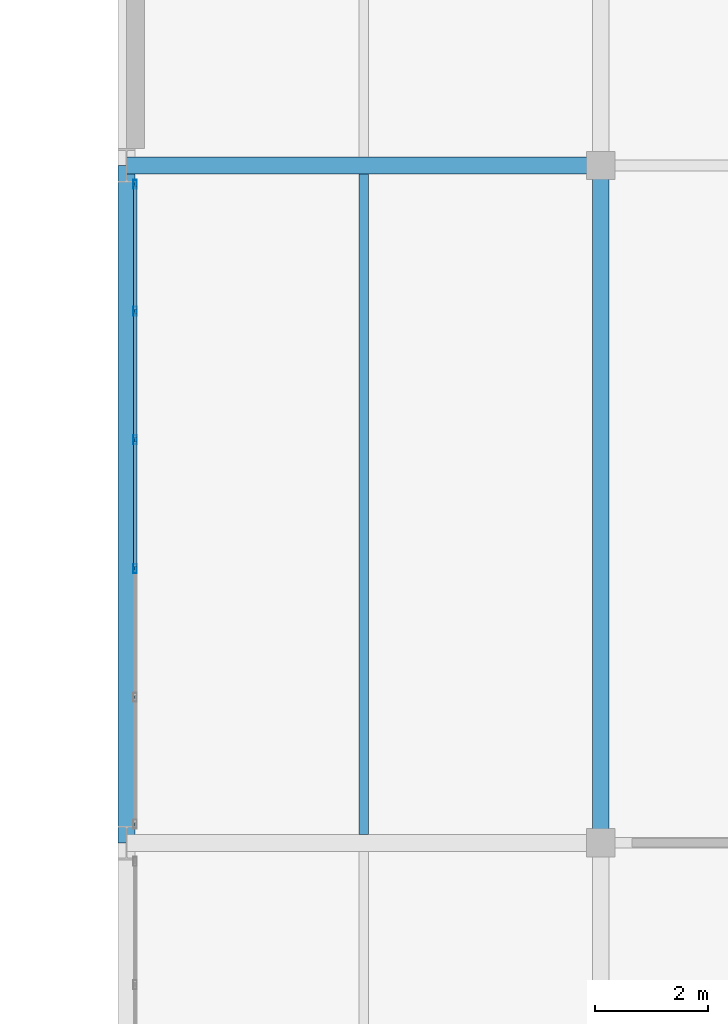
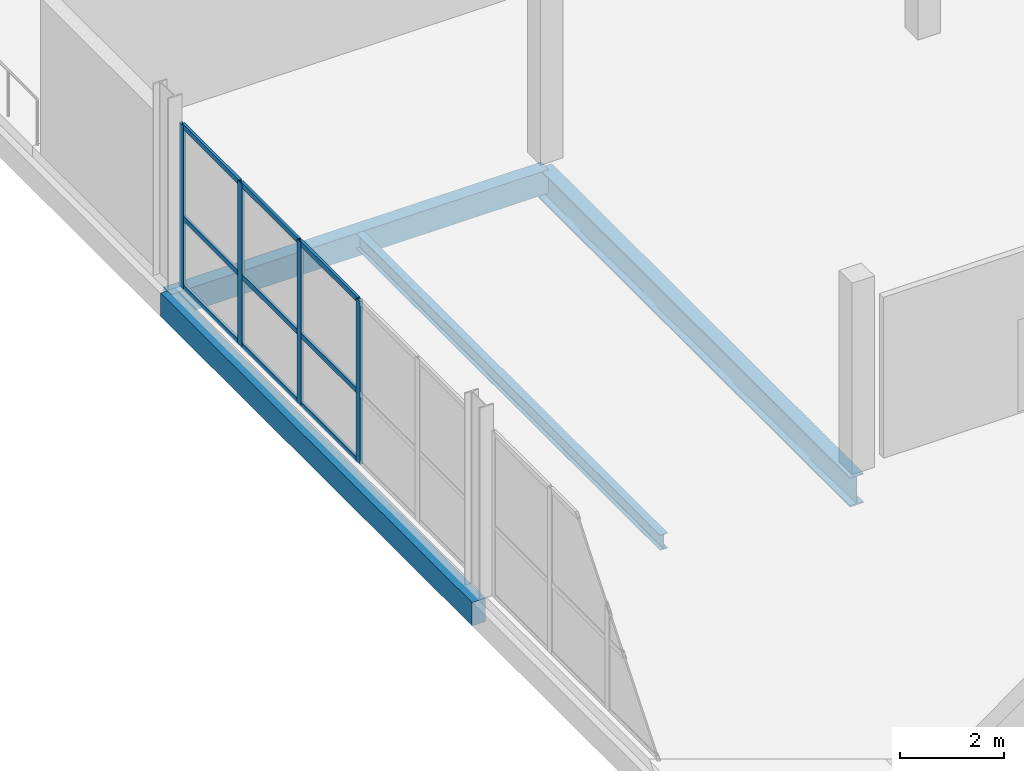
# One storey, part 79 of 109: 13 members, 4 beams, 1 element without a shape of its own.
"""IFC4 building model written with IfcOpenShell, lengths in metres."""

from ifc_helpers import new_model, si_unit, direction, frame, origin, origin_2d, place, context, subcontext, project, spatial, rectangle, hollow_rectangle, i_section, extrude, material, material_profile, profile_set, type_object, element, aggregate, save


model = new_model("IFC4")

# Units and contexts
model_context = context("Model", 3, precision=1e-05, world=origin(), true_north=direction((0.0, 1.0)))
body_context = subcontext(model_context, "Body", "Model", "MODEL_VIEW")
ifc_project = project(units=[si_unit("LENGTHUNIT", "METRE"), si_unit("AREAUNIT", "SQUARE_METRE"), si_unit("VOLUMEUNIT", "CUBIC_METRE"), si_unit("PLANEANGLEUNIT", "RADIAN"), si_unit("MASSUNIT", "GRAM", prefix="KILO")], contexts=[model_context])

# Site, building, storey
site_placement = place(None, origin())
site = spatial("IfcSite", under=ifc_project, at=site_placement, CompositionType="ELEMENT")
building_placement = place(site_placement, origin())
building = spatial("IfcBuilding", under=site, at=building_placement, Name="Veltarok Museum of Natural Sciences", CompositionType="ELEMENT")
storey_placement = place(building_placement, frame((0.0, 0.0, 17.39990234375)))
storey = spatial("IfcBuildingStorey", under=building, at=storey_placement, Name="L03", CompositionType="ELEMENT", Elevation=17.39990234375)

# Curtain wall, members
ifc_material_1 = material(Name="Low-iron triple insulated glass", Category="glass")
curtain_wall_type = type_object("IfcCurtainWallType", Name="Curtain Wall System CW-V5CW-L03-1-1140x383 (CW-V5CW L03 1140x383cm)", PredefinedType="NOTDEFINED", material=ifc_material_1)
curtain_wall_placement = place(storey_placement, origin())
curtain_wall = element("IfcCurtainWall", 1, at=curtain_wall_placement, inside=storey, type_object=curtain_wall_type, Name="Curtain Wall CW-V5CW-L03-1-1140x383 CW-0181", PredefinedType="NOTDEFINED")
ifc_material_2 = material(Name="Thermally broken anodised aluminium", Category="aluminium")
ifc_material_profile_1 = material_profile(ifc_material_2, hollow_rectangle(XDim=0.06005859375, YDim=0.1201171875, WallThickness=0.0048828125, at=origin_2d()), Name="CW TRANSOM 60x120x5")
ifc_profile_set_1 = profile_set([ifc_material_profile_1], Name="Thermally broken anodised aluminium")
member_type_1 = type_object("IfcMemberType", Name="Curtain Wall Horizontal Transom 60x120x5", PredefinedType="USERDEFINED", material=ifc_profile_set_1)
member_1_placement = place(storey_placement, frame((132.550048828125, 52.889892578125, 0.028076171875), z_axis=(0.0, 1.0, 0.0), x_axis=(-1.0, 0.0, 0.0)))
member_1 = element("IfcMember", 2, at=member_1_placement, type_object=member_type_1, Name="CW-V5CW-L03-1-1140x383 transom 3.1", ObjectType="TRANSOM", PredefinedType="USERDEFINED", context=body_context, shape_type="SweptSolid", body=[
    extrude(hollow_rectangle(XDim=0.06005859375, YDim=0.1201171875, WallThickness=0.0048828125, at=origin_2d()), origin(), (0.0, 0.0, 1.0), 2.22021484375),
])
member_2_placement = place(storey_placement, frame((132.550048828125, 52.889892578125, 1.648193359375), z_axis=(0.0, 1.0, 0.0), x_axis=(-1.0, 0.0, 0.0)))
member_2 = element("IfcMember", 3, at=member_2_placement, type_object=member_type_1, Name="CW-V5CW-L03-1-1140x383 transom 3.2", ObjectType="TRANSOM", PredefinedType="USERDEFINED", context=body_context, shape_type="SweptSolid", body=[
    extrude(hollow_rectangle(XDim=0.06005859375, YDim=0.1201171875, WallThickness=0.0048828125, at=origin_2d()), origin(), (0.0, 0.0, 1.0), 2.22021484375),
])
member_3_placement = place(storey_placement, frame((132.550048828125, 52.889892578125, 3.800048828125), z_axis=(0.0, 1.0, 0.0), x_axis=(-1.0, 0.0, 0.0)))
member_3 = element("IfcMember", 4, at=member_3_placement, type_object=member_type_1, Name="CW-V5CW-L03-1-1140x383 transom 3.3", ObjectType="TRANSOM", PredefinedType="USERDEFINED", context=body_context, shape_type="SweptSolid", body=[
    extrude(hollow_rectangle(XDim=0.06005859375, YDim=0.1201171875, WallThickness=0.0048828125, at=origin_2d()), origin(), (0.0, 0.0, 1.0), 2.22021484375),
])
member_4_placement = place(storey_placement, frame((132.550048828125, 55.169921875, 0.028076171875), z_axis=(0.0, 1.0, 0.0), x_axis=(-1.0, 0.0, 0.0)))
member_4 = element("IfcMember", 5, at=member_4_placement, type_object=member_type_1, Name="CW-V5CW-L03-1-1140x383 transom 4.1", ObjectType="TRANSOM", PredefinedType="USERDEFINED", context=body_context, shape_type="SweptSolid", body=[
    extrude(hollow_rectangle(XDim=0.06005859375, YDim=0.1201171875, WallThickness=0.0048828125, at=origin_2d()), origin(), (0.0, 0.0, 1.0), 2.219970703125),
])
member_5_placement = place(storey_placement, frame((132.550048828125, 55.169921875, 1.648193359375), z_axis=(0.0, 1.0, 0.0), x_axis=(-1.0, 0.0, 0.0)))
member_5 = element("IfcMember", 6, at=member_5_placement, type_object=member_type_1, Name="CW-V5CW-L03-1-1140x383 transom 4.2", ObjectType="TRANSOM", PredefinedType="USERDEFINED", context=body_context, shape_type="SweptSolid", body=[
    extrude(hollow_rectangle(XDim=0.06005859375, YDim=0.1201171875, WallThickness=0.0048828125, at=origin_2d()), origin(), (0.0, 0.0, 1.0), 2.219970703125),
])
member_6_placement = place(storey_placement, frame((132.550048828125, 55.169921875, 3.800048828125), z_axis=(0.0, 1.0, 0.0), x_axis=(-1.0, 0.0, 0.0)))
member_6 = element("IfcMember", 7, at=member_6_placement, type_object=member_type_1, Name="CW-V5CW-L03-1-1140x383 transom 4.3", ObjectType="TRANSOM", PredefinedType="USERDEFINED", context=body_context, shape_type="SweptSolid", body=[
    extrude(hollow_rectangle(XDim=0.06005859375, YDim=0.1201171875, WallThickness=0.0048828125, at=origin_2d()), origin(), (0.0, 0.0, 1.0), 2.219970703125),
])
member_7_placement = place(storey_placement, frame((132.550048828125, 57.449951171875, 0.028076171875), z_axis=(0.0, 1.0, 0.0), x_axis=(-1.0, 0.0, 0.0)))
member_7 = element("IfcMember", 8, at=member_7_placement, type_object=member_type_1, Name="CW-V5CW-L03-1-1140x383 transom 5.1", ObjectType="TRANSOM", PredefinedType="USERDEFINED", context=body_context, shape_type="SweptSolid", body=[
    extrude(hollow_rectangle(XDim=0.06005859375, YDim=0.1201171875, WallThickness=0.0048828125, at=origin_2d()), origin(), (0.0, 0.0, 1.0), 2.18994140625),
])
member_8_placement = place(storey_placement, frame((132.550048828125, 57.449951171875, 1.648193359375), z_axis=(0.0, 1.0, 0.0), x_axis=(-1.0, 0.0, 0.0)))
member_8 = element("IfcMember", 9, at=member_8_placement, type_object=member_type_1, Name="CW-V5CW-L03-1-1140x383 transom 5.2", ObjectType="TRANSOM", PredefinedType="USERDEFINED", context=body_context, shape_type="SweptSolid", body=[
    extrude(hollow_rectangle(XDim=0.06005859375, YDim=0.1201171875, WallThickness=0.0048828125, at=origin_2d()), origin(), (0.0, 0.0, 1.0), 2.18994140625),
])
member_9_placement = place(storey_placement, frame((132.550048828125, 57.449951171875, 3.800048828125), z_axis=(0.0, 1.0, 0.0), x_axis=(-1.0, 0.0, 0.0)))
member_9 = element("IfcMember", 10, at=member_9_placement, type_object=member_type_1, Name="CW-V5CW-L03-1-1140x383 transom 5.3", ObjectType="TRANSOM", PredefinedType="USERDEFINED", context=body_context, shape_type="SweptSolid", body=[
    extrude(hollow_rectangle(XDim=0.06005859375, YDim=0.1201171875, WallThickness=0.0048828125, at=origin_2d()), origin(), (0.0, 0.0, 1.0), 2.18994140625),
])
ifc_material_profile_2 = material_profile(ifc_material_2, hollow_rectangle(XDim=0.06005859375, YDim=0.159912109375, WallThickness=0.0048828125, at=origin_2d()), Name="CW MULLION 60x160x5")
ifc_profile_set_2 = profile_set([ifc_material_profile_2], Name="Thermally broken anodised aluminium")
member_type_2 = type_object("IfcMemberType", Name="Curtain Wall Vertical Mullion 60x160x5", PredefinedType="MULLION", material=ifc_profile_set_2)
member_10_placement = place(storey_placement, frame((132.550048828125, 52.860107421875, -0.001953125), z_axis=(0.0, 0.0, 1.0), x_axis=(-1.0, 0.0, 0.0)))
member_10 = element("IfcMember", 11, at=member_10_placement, type_object=member_type_2, Name="CW-V5CW-L03-1-1140x383 mullion 3", PredefinedType="MULLION", context=body_context, shape_type="SweptSolid", body=[
    extrude(hollow_rectangle(XDim=0.06005859375, YDim=0.159912109375, WallThickness=0.0048828125, at=origin_2d()), origin(), (0.0, 0.0, 1.0), 3.83203125),
])
member_11_placement = place(storey_placement, frame((132.550048828125, 55.139892578125, -0.001953125), z_axis=(0.0, 0.0, 1.0), x_axis=(-1.0, 0.0, 0.0)))
member_11 = element("IfcMember", 12, at=member_11_placement, type_object=member_type_2, Name="CW-V5CW-L03-1-1140x383 mullion 4", PredefinedType="MULLION", context=body_context, shape_type="SweptSolid", body=[
    extrude(hollow_rectangle(XDim=0.06005859375, YDim=0.159912109375, WallThickness=0.0048828125, at=origin_2d()), origin(), (0.0, 0.0, 1.0), 3.83203125),
])
member_12_placement = place(storey_placement, frame((132.550048828125, 57.419921875, -0.001953125), z_axis=(0.0, 0.0, 1.0), x_axis=(-1.0, 0.0, 0.0)))
member_12 = element("IfcMember", 13, at=member_12_placement, type_object=member_type_2, Name="CW-V5CW-L03-1-1140x383 mullion 5", PredefinedType="MULLION", context=body_context, shape_type="SweptSolid", body=[
    extrude(hollow_rectangle(XDim=0.06005859375, YDim=0.159912109375, WallThickness=0.0048828125, at=origin_2d()), origin(), (0.0, 0.0, 1.0), 3.83203125),
])
member_13_placement = place(storey_placement, frame((132.550048828125, 59.669921875, -0.001953125), z_axis=(0.0, 0.0, 1.0), x_axis=(-1.0, 0.0, 0.0)))
member_13 = element("IfcMember", 14, at=member_13_placement, type_object=member_type_2, Name="CW-V5CW-L03-1-1140x383 mullion 6", PredefinedType="MULLION", context=body_context, shape_type="SweptSolid", body=[
    extrude(hollow_rectangle(XDim=0.06005859375, YDim=0.159912109375, WallThickness=0.0048828125, at=origin_2d()), origin(), (0.0, 0.0, 1.0), 3.83203125),
])
aggregate(curtain_wall, [member_10, member_11, member_12, member_13, member_1, member_2, member_3, member_4, member_5, member_6, member_7, member_8, member_9])

# Beams
ifc_material_3 = material(Name="Precast concrete C40/50", Category="concrete")
ifc_material_profile_3 = material_profile(ifc_material_3, rectangle(XDim=0.300048828125, YDim=0.550048828125, at=origin_2d()), Name="RC 300x550")
ifc_profile_set_3 = profile_set([ifc_material_profile_3], Name="Precast concrete C40/50")
beam_type_1 = type_object("IfcBeamType", Name="East Wing Precast Spandrel RC 300x550", PredefinedType="SPANDREL", material=ifc_profile_set_3)
beam_1_placement = place(storey_placement, frame((132.39990234375, 60.0, -0.52490234375), z_axis=(1.0, 0.0, 0.0), x_axis=(0.0, 1.0, 0.0)))
element("IfcBeam", 15, at=beam_1_placement, inside=storey, type_object=beam_type_1, Name="Beam BM-SP02 L03 16-17/G", PredefinedType="SPANDREL", context=body_context, shape_type="SweptSolid", body=[
    extrude(rectangle(XDim=0.300048828125, YDim=0.550048828125, at=origin_2d()), origin(), (0.0, 0.0, 1.0), 8.400146484375),
])
beam_2_placement = place(storey_placement, frame((132.39990234375, 48.0, -0.52490234375), z_axis=(0.0, 1.0, 0.0), x_axis=(-1.0, 0.0, 0.0)))
element("IfcBeam", 16, at=beam_2_placement, inside=storey, type_object=beam_type_1, Name="Beam BM-SP02 L03 16/F-G", PredefinedType="SPANDREL", context=body_context, shape_type="SweptSolid", body=[
    extrude(rectangle(XDim=0.300048828125, YDim=0.550048828125, at=origin_2d()), origin(), (0.0, 0.0, 1.0), 12.0),
])
ifc_material_4 = material(Name="Steel S355J2", Category="steel")
ifc_material_profile_4 = material_profile(ifc_material_4, i_section(OverallWidth=0.169921875, OverallDepth=0.360107421875, WebThickness=0.008056640625, FlangeThickness=0.0126953125, FilletRadius=0.01806640625, at=origin_2d()), Name="IPE 360")
ifc_profile_set_4 = profile_set([ifc_material_profile_4], Name="Steel S355J2")
beam_type_2 = type_object("IfcBeamType", Name="Long-Bay Composite Joist IPE 360", PredefinedType="JOIST", material=ifc_profile_set_4)
beam_3_placement = place(storey_placement, frame((136.60009765625, 48.14794921875, -0.429931640625), z_axis=(0.0, 1.0, 0.0), x_axis=(-1.0, 0.0, 0.0)))
element("IfcBeam", 17, at=beam_3_placement, inside=storey, type_object=beam_type_2, Name="Secondary Joist BM-J01 L03 16-17/F-G.1", PredefinedType="JOIST", context=body_context, shape_type="SweptSolid", body=[
    extrude(i_section(OverallWidth=0.169921875, OverallDepth=0.360107421875, WebThickness=0.008056640625, FlangeThickness=0.0126953125, FilletRadius=0.01806640625, at=origin_2d()), origin(), (0.0, 0.0, 1.0), 11.7041015625),
])
ifc_material_profile_5 = material_profile(ifc_material_4, i_section(OverallWidth=0.300048828125, OverallDepth=0.699951171875, WebThickness=0.01708984375, FlangeThickness=0.031982421875, FilletRadius=0.027099609375, at=origin_2d()), Name="HEB 700")
ifc_profile_set_5 = profile_set([ifc_material_profile_5], Name="Steel S355J2")
beam_type_3 = type_object("IfcBeamType", Name="Long-Span Hall Girder HEB 700", PredefinedType="BEAM", material=ifc_profile_set_5)
beam_4_placement = place(storey_placement, frame((140.800048828125, 48.0, -0.599853515625), z_axis=(0.0, 1.0, 0.0), x_axis=(-1.0, 0.0, 0.0)))
element("IfcBeam", 18, at=beam_4_placement, inside=storey, type_object=beam_type_3, Name="Beam BM-G01 L03 17/F-G", PredefinedType="BEAM", context=body_context, shape_type="SweptSolid", body=[
    extrude(i_section(OverallWidth=0.300048828125, OverallDepth=0.699951171875, WebThickness=0.01708984375, FlangeThickness=0.031982421875, FilletRadius=0.027099609375, at=origin_2d()), origin(), (0.0, 0.0, 1.0), 12.0),
])

save(model, "model.ifc")
